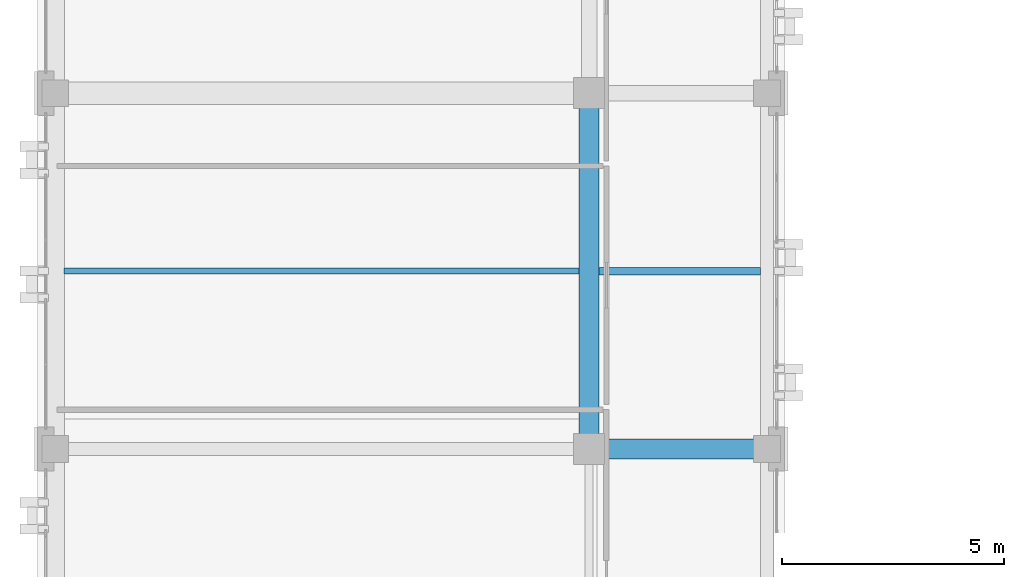
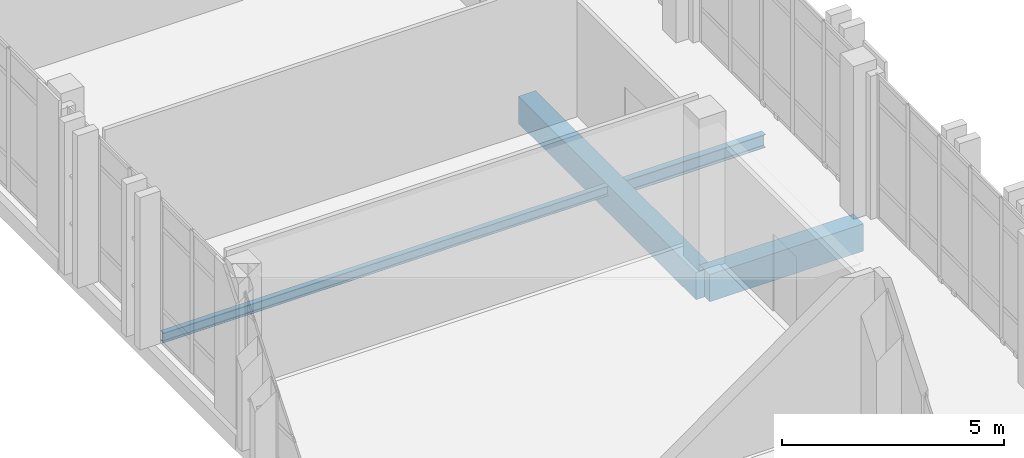
# One storey, part 14 of 77: 4 beams.
"""IFC4 building model written with IfcOpenShell, lengths in metres."""

from ifc_helpers import new_model, si_unit, direction, frame, origin, origin_2d, place, context, subcontext, project, spatial, rectangle, i_section, extrude, material, material_profile, profile_set, type_object, element, save


model = new_model("IFC4")

# Units and contexts
model_context = context("Model", 3, precision=1e-05, world=origin(), true_north=direction((0.0, 1.0)))
body_context = subcontext(model_context, "Body", "Model", "MODEL_VIEW")
ifc_project = project(units=[si_unit("LENGTHUNIT", "METRE"), si_unit("AREAUNIT", "SQUARE_METRE"), si_unit("VOLUMEUNIT", "CUBIC_METRE"), si_unit("PLANEANGLEUNIT", "RADIAN"), si_unit("MASSUNIT", "GRAM", prefix="KILO")], contexts=[model_context])

# Site, building, storey
site_placement = place(None, origin())
site = spatial("IfcSite", under=ifc_project, at=site_placement, CompositionType="ELEMENT")
building_placement = place(site_placement, origin())
building = spatial("IfcBuilding", under=site, at=building_placement, Name="Qalavern Law Courts", CompositionType="ELEMENT")
storey_placement = place(building_placement, frame((0.0, 0.0, 27.0)))
storey = spatial("IfcBuildingStorey", under=building, at=storey_placement, Name="L06", CompositionType="ELEMENT", Elevation=27.0)

# Beams
ifc_material_1 = material(Name="Concrete C40/50", Category="concrete")
ifc_material_profile_1 = material_profile(ifc_material_1, rectangle(XDim=0.449951171875, YDim=0.75, at=origin_2d()), Name="RC 450x750")
ifc_profile_set_1 = profile_set([ifc_material_profile_1], Name="Concrete C40/50")
beam_type_1 = type_object("IfcBeamType", Name="STR-BM-RC450x750", PredefinedType="BEAM", material=ifc_profile_set_1)
beam_1_placement = place(storey_placement, frame((14.39990234375, 65.39990234375, -0.64501953125), z_axis=(1.0, 0.0, 0.0), x_axis=(0.0, 1.0, 0.0)))
element("IfcBeam", 1, at=beam_1_placement, inside=storey, type_object=beam_type_1, Name="V3 X-beam 4-2 L06", PredefinedType="BEAM", context=body_context, shape_type="SweptSolid", body=[
    extrude(rectangle(XDim=0.449951171875, YDim=0.75, at=origin_2d()), origin(), (0.0, 0.0, 1.0), 4.0),
])
beam_2_placement = place(storey_placement, frame((14.39990234375, 65.39990234375, -0.64501953125), z_axis=(0.0, 1.0, 0.0), x_axis=(-1.0, 0.0, 0.0)))
element("IfcBeam", 2, at=beam_2_placement, inside=storey, type_object=beam_type_1, Name="V3 Y-beam 2-4 L06", PredefinedType="BEAM", context=body_context, shape_type="SweptSolid", body=[
    extrude(rectangle(XDim=0.449951171875, YDim=0.75, at=origin_2d()), origin(), (0.0, 0.0, 1.0), 8.0),
])
ifc_material_2 = material(Name="Steel S355", Category="steel")
ifc_material_profile_2 = material_profile(ifc_material_2, i_section(OverallWidth=0.135009765625, OverallDepth=0.27001953125, WebThickness=0.006591796875, FlangeThickness=0.01025390625, FilletRadius=0.014892578125, at=origin_2d()), Name="IPE 270")
ifc_profile_set_2 = profile_set([ifc_material_profile_2], Name="Steel S355")
beam_type_2 = type_object("IfcBeamType", Name="STR-JST-IPE270", PredefinedType="JOIST", material=ifc_profile_set_2)
beam_3_placement = place(storey_placement, frame((2.597900390625, 69.39990234375, -0.405029296875), z_axis=(1.0, 0.0, 0.0), x_axis=(0.0, 1.0, 0.0)))
element("IfcBeam", 3, at=beam_3_placement, inside=storey, type_object=beam_type_2, Name="V3 secondary joist 1.4.1 L06", PredefinedType="JOIST", context=body_context, shape_type="SweptSolid", body=[
    extrude(i_section(OverallWidth=0.135009765625, OverallDepth=0.27001953125, WebThickness=0.006591796875, FlangeThickness=0.01025390625, FilletRadius=0.014892578125, at=origin_2d()), origin(), (0.0, 0.0, 1.0), 11.5791015625),
])
ifc_material_profile_3 = material_profile(ifc_material_2, i_section(OverallWidth=0.169921875, OverallDepth=0.360107421875, WebThickness=0.008056640625, FlangeThickness=0.0126953125, FilletRadius=0.01806640625, at=origin_2d()), Name="IPE 360")
ifc_profile_set_3 = profile_set([ifc_material_profile_3], Name="Steel S355")
beam_type_3 = type_object("IfcBeamType", Name="STR-JST-IPE360", PredefinedType="JOIST", material=ifc_profile_set_3)
beam_4_placement = place(storey_placement, frame((14.623046875, 69.39990234375, -0.449951171875), z_axis=(1.0, 0.0, 0.0), x_axis=(0.0, 1.0, 0.0)))
element("IfcBeam", 4, at=beam_4_placement, inside=storey, type_object=beam_type_3, Name="V3 secondary joist 2.4.1 L06", PredefinedType="JOIST", context=body_context, shape_type="SweptSolid", body=[
    extrude(i_section(OverallWidth=0.169921875, OverallDepth=0.360107421875, WebThickness=0.008056640625, FlangeThickness=0.0126953125, FilletRadius=0.01806640625, at=origin_2d()), origin(), (0.0, 0.0, 1.0), 3.62890625),
])

save(model, "model.ifc")
